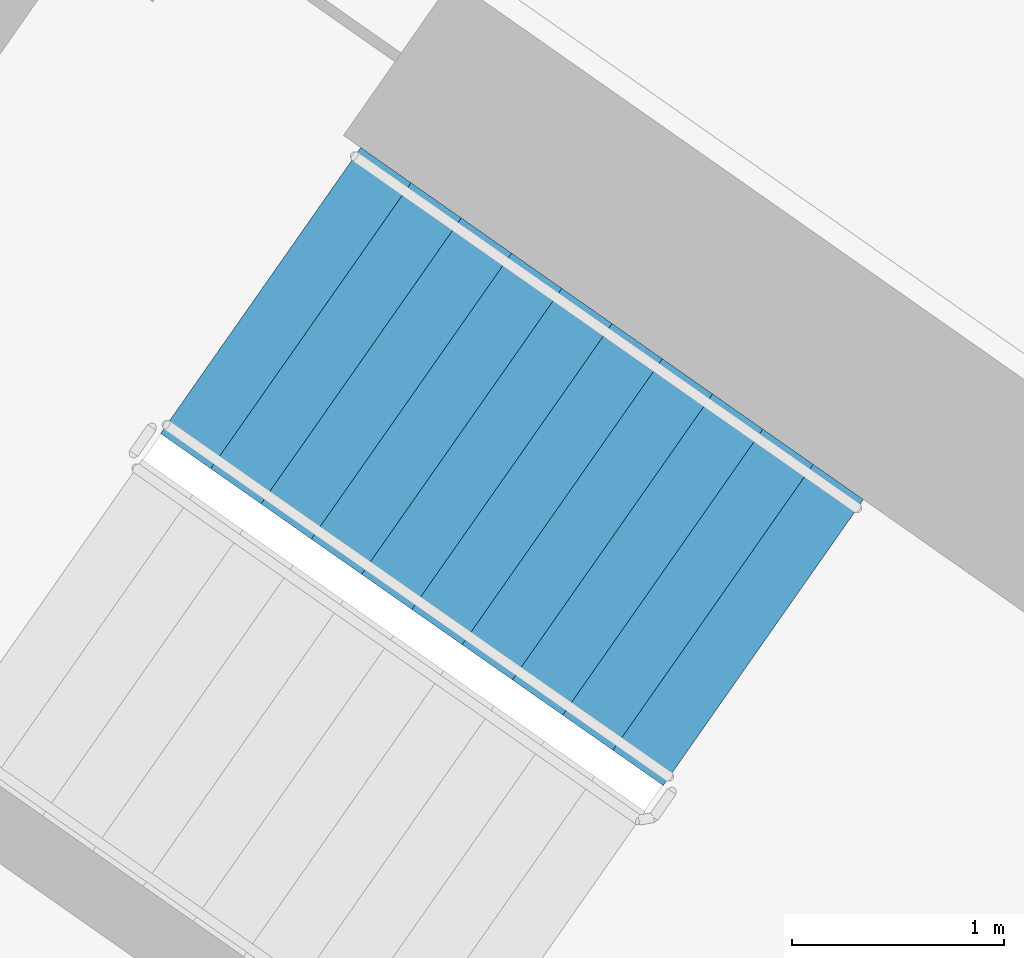
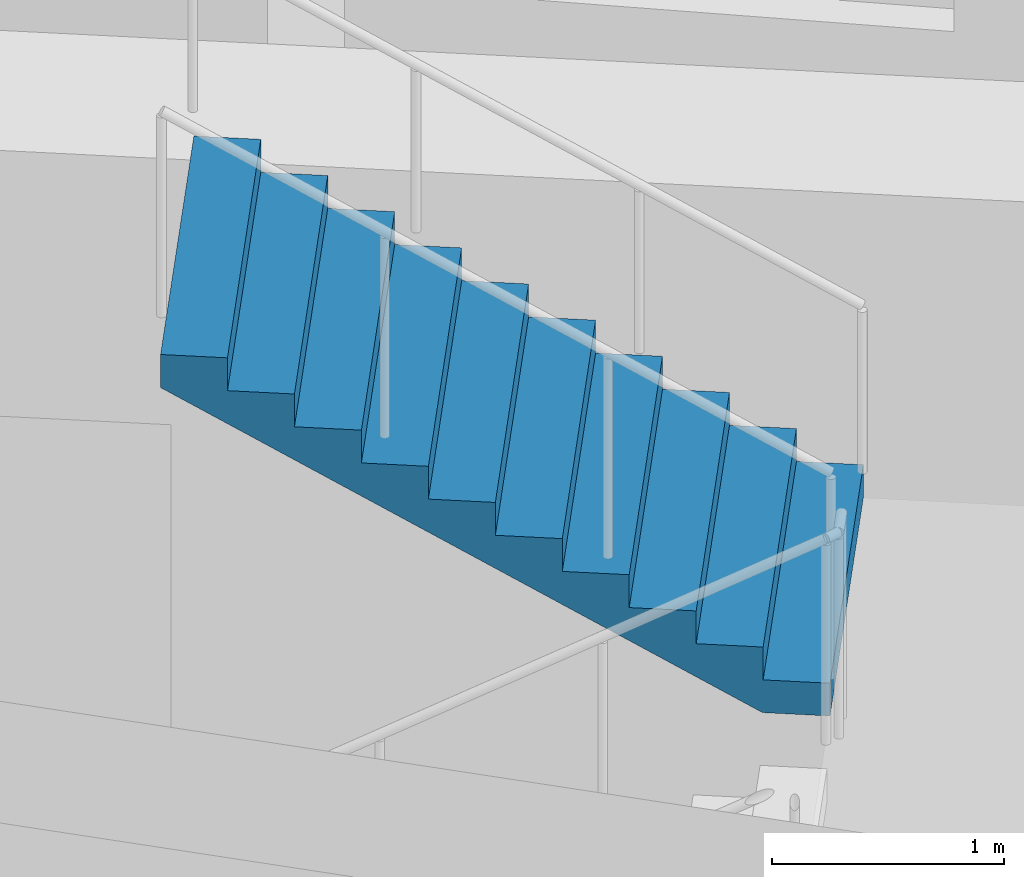
# One storey, part 13 of 31: 1 stair flight, 1 element without a shape of its own.
"""IFC4 building model written with IfcOpenShell, lengths in metres."""

import ifcopenshell
import ifcopenshell.guid

model = None  # the IFC model being written
_history = None  # IfcOwnerHistory: only IFC2X3 demands one
_inside = {}  # id of a spatial element -> (the spatial element, [elements in it])
_under = {}  # id of a project, library or spatial element -> (it, [spatial elements below it])
_declared = {}  # id of a project -> (the project, [libraries it declares])
_typed = {}  # id of a type object -> (the type object, [elements of that type])
_made_of = {}  # id of a material, layer set ... -> (it, [elements and type objects made of it])


def new_model(schema):
    """Start an empty IFC model of exactly this schema.

    Asked for "IFC4X3", IfcOpenShell would pick the latest addendum, in which some entities
    have other attributes; the version numbers below select the first issue.
    IFC2X3 requires an IfcOwnerHistory on every rooted entity: one is made here for all.
    """
    global model, _history
    if schema == "IFC4X3":
        model = ifcopenshell.file(schema_version=(4, 3, 0, 0))
    else:
        model = ifcopenshell.file(schema=schema)
    _inside.clear()
    _under.clear()
    _declared.clear()
    _typed.clear()
    _made_of.clear()
    _history = None
    if model.schema == "IFC2X3":
        org = make("IfcOrganization", Name="unknown")
        user = make(
            "IfcPersonAndOrganization",
            ThePerson=make("IfcPerson", FamilyName="unknown"),
            TheOrganization=org,
        )
        app = make(
            "IfcApplication",
            ApplicationDeveloper=org,
            Version="unknown",
            ApplicationFullName="unknown",
            ApplicationIdentifier="unknown",
        )
        _history = make(
            "IfcOwnerHistory",
            OwningUser=user,
            OwningApplication=app,
            ChangeAction="ADDED",
            CreationDate=0,
        )
    return model


def make(cls, **values):
    """One entity of the class cls with the attributes given. An attribute that is None is left unset."""
    return model.create_entity(
        cls, **{name: value for name, value in values.items() if value is not None}
    )


def rooted(cls, **values):
    """An entity with a GlobalId (a new one), such as an element, a storey or a relation."""
    return make(cls, GlobalId=ifcopenshell.guid.new(), OwnerHistory=_history, **values)


def si_unit(unit_type, name, prefix=None):
    """IfcSIUnit, for example si_unit("LENGTHUNIT", "METRE", prefix="MILLI")."""
    return make("IfcSIUnit", UnitType=unit_type, Prefix=prefix, Name=name)


def assignment(units):
    """IfcUnitAssignment: the units of a project."""
    return None if units is None else make("IfcUnitAssignment", Units=units)


def point(xyz):
    """IfcCartesianPoint."""
    return None if xyz is None else make("IfcCartesianPoint", Coordinates=xyz)


def direction(xyz):
    """IfcDirection."""
    return None if xyz is None else make("IfcDirection", DirectionRatios=xyz)


def frame(location, z_axis=None, x_axis=None):
    """IfcAxis2Placement3D, a coordinate frame: its origin and axes. An axis left out is left unset."""
    return make(
        "IfcAxis2Placement3D",
        Location=point(location),
        Axis=direction(z_axis),
        RefDirection=direction(x_axis),
    )


def origin():
    """The frame at (0, 0, 0) with its axes left unset."""
    return frame((0.0, 0.0, 0.0))


def place(relative_to, where):
    """IfcLocalPlacement: puts the frame where relative to a parent placement (None: the world)."""
    return make(
        "IfcLocalPlacement", PlacementRelTo=relative_to, RelativePlacement=where
    )


def context(
    kind, dimensions, precision=None, world=None, true_north=None, identifier=None
):
    """IfcGeometricRepresentationContext, for example the 3D "Model" context."""
    return make(
        "IfcGeometricRepresentationContext",
        ContextIdentifier=identifier,
        ContextType=kind,
        CoordinateSpaceDimension=dimensions,
        Precision=precision,
        WorldCoordinateSystem=world,
        TrueNorth=true_north,
    )


def subcontext(parent, identifier, kind, view, scale=None):
    """IfcGeometricRepresentationSubContext, for example "Body" below "Model"."""
    return make(
        "IfcGeometricRepresentationSubContext",
        ContextIdentifier=identifier,
        ContextType=kind,
        ParentContext=parent,
        TargetScale=scale,
        TargetView=view,
    )


def project(units=None, contexts=None):
    """IfcProject with its units and contexts."""
    return rooted(
        "IfcProject",
        Name="project",
        RepresentationContexts=contexts,
        UnitsInContext=assignment(units),
    )


def spatial(cls, under=None, at=None, **own):
    """A site, building, storey or space (cls), placed at a placement, below another one or the project."""
    s = rooted(cls, ObjectPlacement=at, **own)
    if under is not None:
        _under.setdefault(under.id(), (under, []))[1].append(s)
    return s


def faces_of(points, faces, orient=None, outer=None):
    """IfcFace entities. A face is a list of loops; a loop is a list of indices into points, from 0.

    orient and outer hold one flag for each loop. By default every Orientation is true, the
    first loop of a face is its IfcFaceOuterBound and the others are IfcFaceBound.
    """
    made = []
    for i, loops in enumerate(faces):
        bounds = []
        for j, loop in enumerate(loops):
            is_outer = j == 0 if outer is None else outer[i][j]
            bounds.append(
                make(
                    "IfcFaceOuterBound" if is_outer else "IfcFaceBound",
                    Bound=make("IfcPolyLoop", Polygon=[points[k] for k in loop]),
                    Orientation=True if orient is None else orient[i][j],
                )
            )
        made.append(make("IfcFace", Bounds=bounds))
    return made


def faceted_brep(points, faces, orient=None, outer=None, voids=None):
    """IfcFacetedBrep: a solid bounded by flat faces; with voids (closed shells), ...WithVoids."""
    shared = [point(p) for p in points]
    hull = make("IfcClosedShell", CfsFaces=faces_of(shared, faces, orient, outer))
    if voids is None:
        return make("IfcFacetedBrep", Outer=hull)
    return make(
        "IfcFacetedBrepWithVoids",
        Outer=hull,
        Voids=[
            make(cls, CfsFaces=faces_of(shared, fs, o, b)) for cls, fs, o, b in voids
        ],
    )


def shape(context_of_items, identifier, shape_type, items):
    """IfcShapeRepresentation: the items that make up one representation, for example the "Body"."""
    return make(
        "IfcShapeRepresentation",
        ContextOfItems=context_of_items,
        RepresentationIdentifier=identifier,
        RepresentationType=shape_type,
        Items=items,
    )


def material(Name=None, Category=None):
    """IfcMaterial."""
    return make("IfcMaterial", Name=Name, Category=Category)


def made_of(thing, what):
    """Note that an element or type object is made of a material, layer set ...; save() writes the relation."""
    if what is not None:
        _made_of.setdefault(what.id(), (what, []))[1].append(thing)
    return thing


def type_object(cls, material=None, **own):
    """A type object (cls), such as IfcWallType, which elements share."""
    return made_of(rooted(cls, **own), material)


def element(
    cls,
    number,
    at=None,
    inside=None,
    cuts=None,
    type_object=None,
    material=None,
    context=None,
    identifier="Body",
    shape_type=None,
    held_by="IfcProductDefinitionShape",
    body=None,
    shapes=None,
    **own,
):
    """One element of the class cls, such as IfcWall. Its Tag is "e" and its number.

    at: its placement. inside: the storey or other place that contains it. cuts: it is an
    opening in that element (IfcRelVoidsElement). A single representation is given by context,
    identifier, shape_type and body (its items); several are given by shapes. held_by: the class
    of the entity that holds the representations. save() writes the other relations.
    """
    e = rooted(cls, Tag="e%d" % number, ObjectPlacement=at, **own)
    if body is not None:
        shapes = [shape(context, identifier, shape_type, body)]
    if shapes is not None:
        e.Representation = make(held_by, Representations=shapes)
    if inside is not None:
        _inside.setdefault(inside.id(), (inside, []))[1].append(e)
    if cuts is not None:
        rooted(
            "IfcRelVoidsElement", RelatingBuildingElement=cuts, RelatedOpeningElement=e
        )
    if type_object is not None:
        _typed.setdefault(type_object.id(), (type_object, []))[1].append(e)
    return made_of(e, material)


def aggregate(whole, parts):
    """IfcRelAggregates: a whole, such as a stair, and the parts it consists of."""
    return rooted("IfcRelAggregates", RelatingObject=whole, RelatedObjects=parts)


def save(model, path):
    """Write the relations noted so far, then the file.

    IfcRelAggregates (storeys below a building ...), IfcRelContainedInSpatialStructure (elements
    in a storey), IfcRelDefinesByType, IfcRelAssociatesMaterial and IfcRelDeclares: one each for
    every whole, place, type object, material and project.
    """
    for whole, parts in _under.values():
        aggregate(whole, parts)
    for where, things in _inside.values():
        rooted(
            "IfcRelContainedInSpatialStructure",
            RelatedElements=things,
            RelatingStructure=where,
        )
    for kind, things in _typed.values():
        rooted("IfcRelDefinesByType", RelatedObjects=things, RelatingType=kind)
    for what, things in _made_of.values():
        rooted("IfcRelAssociatesMaterial", RelatedObjects=things, RelatingMaterial=what)
    for by, libraries in _declared.values():
        rooted("IfcRelDeclares", RelatingContext=by, RelatedDefinitions=libraries)
    model.write(path)


model = new_model("IFC4")

# Units and contexts
model_context = context("Model", 3, precision=1e-05, world=origin(), true_north=direction((0.0, 1.0)))
body_context = subcontext(model_context, "Body", "Model", "MODEL_VIEW")
ifc_project = project(units=[si_unit("LENGTHUNIT", "METRE"), si_unit("AREAUNIT", "SQUARE_METRE"), si_unit("VOLUMEUNIT", "CUBIC_METRE"), si_unit("PLANEANGLEUNIT", "RADIAN"), si_unit("MASSUNIT", "GRAM", prefix="KILO")], contexts=[model_context])

# Site, building, storey
site_placement = place(None, origin())
site = spatial("IfcSite", under=ifc_project, at=site_placement, CompositionType="ELEMENT")
building_placement = place(site_placement, origin())
building = spatial("IfcBuilding", under=site, at=building_placement, Name="Qamariyya Broadcast Tower", CompositionType="ELEMENT")
storey_placement = place(building_placement, frame((0.0, 0.0, 55.699951171875)))
storey = spatial("IfcBuildingStorey", under=building, at=storey_placement, Name="L10", CompositionType="ELEMENT", Elevation=55.699951171875)

# Stair, stair flight
ifc_material = material(Name="Concrete C50/60", Category="concrete")
stair_type = type_object("IfcStairType", Name="Exit stair 22 risers of 173 mm", PredefinedType="HALF_TURN_STAIR", material=ifc_material)
stair_placement = place(storey_placement, origin())
stair = element("IfcStair", 1, at=stair_placement, inside=storey, type_object=stair_type, Name="L10 Stair W2", PredefinedType="HALF_TURN_STAIR")
stair_flight_type = type_object("IfcStairFlightType", Name="Exit stair flight 11 risers of 173 mm", PredefinedType="STRAIGHT", material=ifc_material)
stair_flight_placement = place(storey_placement, frame((-38.18310546875, -49.3486328125, 1.900146484375), z_axis=(0.0, 0.0, 1.0), x_axis=(-0.819152044289, 0.573576436351, 0.0)))
stair_flight = element("IfcStairFlight", 2, at=stair_flight_placement, type_object=stair_flight_type, Name="ST-W2 flight 2", NumberOfRisers=11, NumberOfTreads=10, PredefinedType="STRAIGHT", RiserHeight=0.172727273, TreadLength=0.29, context=body_context, shape_type="Brep", body=[
    faceted_brep([(0.0, 0.824951171875, 0.0), (0.0, 0.824951171875, 0.172607421875), (0.2900390625, 0.824951171875, 0.172607421875), (0.2900390625, 0.824951171875, 0.345458984375), (0.580078125, 0.824951171875, 0.345458984375), (0.580078125, 0.824951171875, 0.51806640625), (0.8701171875, 0.824951171875, 0.51806640625), (0.8701171875, 0.824951171875, 0.69091796875), (1.159912109375, 0.824951171875, 0.69091796875), (1.159912109375, 0.824951171875, 0.863525390625), (1.449951171875, 0.824951171875, 0.863525390625), (1.449951171875, 0.824951171875, 1.036376953125), (1.739990234375, 0.824951171875, 1.036376953125), (1.739990234375, 0.824951171875, 1.208984375), (2.030029296875, 0.824951171875, 1.208984375), (2.030029296875, 0.824951171875, 1.3818359375), (2.320068359375, 0.824951171875, 1.3818359375), (2.320068359375, 0.824951171875, 1.554443359375), (2.610107421875, 0.824951171875, 1.554443359375), (2.610107421875, 0.824951171875, 1.727294921875), (2.89990234375, 0.824951171875, 1.727294921875), (2.89990234375, 0.824951171875, 1.552734375), (0.29296875, 0.824951171875, 0.0), (0.29296875, -0.824951171875, 0.0), (2.89990234375, -0.824951171875, 1.552734375), (2.89990234375, -0.824951171875, 1.727294921875), (2.610107421875, -0.824951171875, 1.727294921875), (2.610107421875, -0.824951171875, 1.554443359375), (2.320068359375, -0.824951171875, 1.554443359375), (2.320068359375, -0.824951171875, 1.3818359375), (2.030029296875, -0.824951171875, 1.3818359375), (2.030029296875, -0.824951171875, 1.208984375), (1.739990234375, -0.824951171875, 1.208984375), (1.739990234375, -0.824951171875, 1.036376953125), (1.449951171875, -0.824951171875, 1.036376953125), (1.449951171875, -0.824951171875, 0.863525390625), (1.159912109375, -0.824951171875, 0.863525390625), (1.159912109375, -0.824951171875, 0.69091796875), (0.8701171875, -0.824951171875, 0.69091796875), (0.8701171875, -0.824951171875, 0.51806640625), (0.580078125, -0.824951171875, 0.51806640625), (0.580078125, -0.824951171875, 0.345458984375), (0.2900390625, -0.824951171875, 0.345458984375), (0.2900390625, -0.824951171875, 0.172607421875), (0.0, -0.824951171875, 0.172607421875), (0.0, -0.824951171875, 0.0), (0.0, 0.10009765625, 0.0), (0.0, 0.086669921875, 0.0), (0.0, 0.0732421875, 0.0), (0.0, 0.06005859375, 0.0), (0.0, 0.046630859375, 0.0), (0.0, 0.033447265625, 0.0), (0.0, 0.02001953125, 0.0), (0.0, 0.006591796875, 0.0), (0.0, -0.006591796875, 0.0), (0.0, -0.02001953125, 0.0), (0.0, -0.033447265625, 0.0), (0.0, -0.046630859375, 0.0), (0.0, -0.06005859375, 0.0), (0.0, -0.0732421875, 0.0), (0.0, -0.086669921875, 0.0), (0.0, -0.10009765625, 0.0), (0.0, -0.10009765625, 0.172607421875), (0.0, -0.086669921875, 0.172607421875), (0.0, -0.0732421875, 0.172607421875), (0.0, -0.06005859375, 0.172607421875), (0.0, -0.046630859375, 0.172607421875), (0.0, -0.033447265625, 0.172607421875), (0.0, -0.02001953125, 0.172607421875), (0.0, -0.006591796875, 0.172607421875), (0.0, 0.006591796875, 0.172607421875), (0.0, 0.02001953125, 0.172607421875), (0.0, 0.033447265625, 0.172607421875), (0.0, 0.046630859375, 0.172607421875), (0.0, 0.06005859375, 0.172607421875), (0.0, 0.0732421875, 0.172607421875), (0.0, 0.086669921875, 0.172607421875), (0.0, 0.10009765625, 0.172607421875), (0.2900390625, -0.10009765625, 0.172607421875), (0.2900390625, -0.086669921875, 0.172607421875), (0.2900390625, -0.0732421875, 0.172607421875), (0.2900390625, -0.06005859375, 0.172607421875), (0.2900390625, -0.046630859375, 0.172607421875), (0.2900390625, -0.033447265625, 0.172607421875), (0.2900390625, -0.02001953125, 0.172607421875), (0.2900390625, -0.006591796875, 0.172607421875), (0.2900390625, 0.006591796875, 0.172607421875), (0.2900390625, 0.02001953125, 0.172607421875), (0.2900390625, 0.033447265625, 0.172607421875), (0.2900390625, 0.046630859375, 0.172607421875), (0.2900390625, 0.06005859375, 0.172607421875), (0.2900390625, 0.0732421875, 0.172607421875), (0.2900390625, 0.086669921875, 0.172607421875), (0.2900390625, 0.10009765625, 0.172607421875), (0.2900390625, -0.10009765625, 0.345458984375), (0.2900390625, -0.086669921875, 0.345458984375), (0.2900390625, -0.0732421875, 0.345458984375), (0.2900390625, -0.06005859375, 0.345458984375), (0.2900390625, -0.046630859375, 0.345458984375), (0.2900390625, -0.033447265625, 0.345458984375), (0.2900390625, -0.02001953125, 0.345458984375), (0.2900390625, -0.006591796875, 0.345458984375), (0.2900390625, 0.006591796875, 0.345458984375), (0.2900390625, 0.02001953125, 0.345458984375), (0.2900390625, 0.033447265625, 0.345458984375), (0.2900390625, 0.046630859375, 0.345458984375), (0.2900390625, 0.06005859375, 0.345458984375), (0.2900390625, 0.0732421875, 0.345458984375), (0.2900390625, 0.086669921875, 0.345458984375), (0.2900390625, 0.10009765625, 0.345458984375), (0.580078125, -0.10009765625, 0.345458984375), (0.580078125, -0.086669921875, 0.345458984375), (0.580078125, -0.0732421875, 0.345458984375), (0.580078125, -0.06005859375, 0.345458984375), (0.580078125, -0.046630859375, 0.345458984375), (0.580078125, -0.033447265625, 0.345458984375), (0.580078125, -0.02001953125, 0.345458984375), (0.580078125, -0.006591796875, 0.345458984375), (0.580078125, 0.006591796875, 0.345458984375), (0.580078125, 0.02001953125, 0.345458984375), (0.580078125, 0.033447265625, 0.345458984375), (0.580078125, 0.046630859375, 0.345458984375), (0.580078125, 0.06005859375, 0.345458984375), (0.580078125, 0.0732421875, 0.345458984375), (0.580078125, 0.086669921875, 0.345458984375), (0.580078125, 0.10009765625, 0.345458984375), (0.580078125, -0.10009765625, 0.51806640625), (0.580078125, -0.086669921875, 0.51806640625), (0.580078125, -0.0732421875, 0.51806640625), (0.580078125, -0.06005859375, 0.51806640625), (0.580078125, -0.046630859375, 0.51806640625), (0.580078125, -0.033447265625, 0.51806640625), (0.580078125, -0.02001953125, 0.51806640625), (0.580078125, -0.006591796875, 0.51806640625), (0.580078125, 0.006591796875, 0.51806640625), (0.580078125, 0.02001953125, 0.51806640625), (0.580078125, 0.033447265625, 0.51806640625), (0.580078125, 0.046630859375, 0.51806640625), (0.580078125, 0.06005859375, 0.51806640625), (0.580078125, 0.0732421875, 0.51806640625), (0.580078125, 0.086669921875, 0.51806640625), (0.580078125, 0.10009765625, 0.51806640625), (0.8701171875, -0.10009765625, 0.51806640625), (0.8701171875, -0.086669921875, 0.51806640625), (0.8701171875, -0.0732421875, 0.51806640625), (0.8701171875, -0.06005859375, 0.51806640625), (0.8701171875, -0.046630859375, 0.51806640625), (0.8701171875, -0.033447265625, 0.51806640625), (0.8701171875, -0.02001953125, 0.51806640625), (0.8701171875, -0.006591796875, 0.51806640625), (0.8701171875, 0.006591796875, 0.51806640625), (0.8701171875, 0.02001953125, 0.51806640625), (0.8701171875, 0.033447265625, 0.51806640625), (0.8701171875, 0.046630859375, 0.51806640625), (0.8701171875, 0.06005859375, 0.51806640625), (0.8701171875, 0.0732421875, 0.51806640625), (0.8701171875, 0.086669921875, 0.51806640625), (0.8701171875, 0.10009765625, 0.51806640625), (0.8701171875, -0.10009765625, 0.69091796875), (0.8701171875, -0.086669921875, 0.69091796875), (0.8701171875, -0.0732421875, 0.69091796875), (0.8701171875, -0.06005859375, 0.69091796875), (0.8701171875, -0.046630859375, 0.69091796875), (0.8701171875, -0.033447265625, 0.69091796875), (0.8701171875, -0.02001953125, 0.69091796875), (0.8701171875, -0.006591796875, 0.69091796875), (0.8701171875, 0.006591796875, 0.69091796875), (0.8701171875, 0.02001953125, 0.69091796875), (0.8701171875, 0.033447265625, 0.69091796875), (0.8701171875, 0.046630859375, 0.69091796875), (0.8701171875, 0.06005859375, 0.69091796875), (0.8701171875, 0.0732421875, 0.69091796875), (0.8701171875, 0.086669921875, 0.69091796875), (0.8701171875, 0.10009765625, 0.69091796875), (1.159912109375, -0.10009765625, 0.69091796875), (1.159912109375, -0.086669921875, 0.69091796875), (1.159912109375, -0.0732421875, 0.69091796875), (1.159912109375, -0.06005859375, 0.69091796875), (1.159912109375, -0.046630859375, 0.69091796875), (1.159912109375, -0.033447265625, 0.69091796875), (1.159912109375, -0.02001953125, 0.69091796875), (1.159912109375, -0.006591796875, 0.69091796875), (1.159912109375, 0.006591796875, 0.69091796875), (1.159912109375, 0.02001953125, 0.69091796875), (1.159912109375, 0.033447265625, 0.69091796875), (1.159912109375, 0.046630859375, 0.69091796875), (1.159912109375, 0.06005859375, 0.69091796875), (1.159912109375, 0.0732421875, 0.69091796875), (1.159912109375, 0.086669921875, 0.69091796875), (1.159912109375, 0.10009765625, 0.69091796875), (1.159912109375, -0.10009765625, 0.863525390625), (1.159912109375, -0.086669921875, 0.863525390625), (1.159912109375, -0.0732421875, 0.863525390625), (1.159912109375, -0.06005859375, 0.863525390625), (1.159912109375, -0.046630859375, 0.863525390625), (1.159912109375, -0.033447265625, 0.863525390625), (1.159912109375, -0.02001953125, 0.863525390625), (1.159912109375, -0.006591796875, 0.863525390625), (1.159912109375, 0.006591796875, 0.863525390625), (1.159912109375, 0.02001953125, 0.863525390625), (1.159912109375, 0.033447265625, 0.863525390625), (1.159912109375, 0.046630859375, 0.863525390625), (1.159912109375, 0.06005859375, 0.863525390625), (1.159912109375, 0.0732421875, 0.863525390625), (1.159912109375, 0.086669921875, 0.863525390625), (1.159912109375, 0.10009765625, 0.863525390625), (1.449951171875, -0.10009765625, 0.863525390625), (1.449951171875, -0.086669921875, 0.863525390625), (1.449951171875, -0.0732421875, 0.863525390625), (1.449951171875, -0.06005859375, 0.863525390625), (1.449951171875, -0.046630859375, 0.863525390625), (1.449951171875, -0.033447265625, 0.863525390625), (1.449951171875, -0.02001953125, 0.863525390625), (1.449951171875, -0.006591796875, 0.863525390625), (1.449951171875, 0.006591796875, 0.863525390625), (1.449951171875, 0.02001953125, 0.863525390625), (1.449951171875, 0.033447265625, 0.863525390625), (1.449951171875, 0.046630859375, 0.863525390625), (1.449951171875, 0.06005859375, 0.863525390625), (1.449951171875, 0.0732421875, 0.863525390625), (1.449951171875, 0.086669921875, 0.863525390625), (1.449951171875, 0.10009765625, 0.863525390625), (1.449951171875, -0.10009765625, 1.036376953125), (1.449951171875, -0.086669921875, 1.036376953125), (1.449951171875, -0.0732421875, 1.036376953125), (1.449951171875, -0.06005859375, 1.036376953125), (1.449951171875, -0.046630859375, 1.036376953125), (1.449951171875, -0.033447265625, 1.036376953125), (1.449951171875, -0.02001953125, 1.036376953125), (1.449951171875, -0.006591796875, 1.036376953125), (1.449951171875, 0.006591796875, 1.036376953125), (1.449951171875, 0.02001953125, 1.036376953125), (1.449951171875, 0.033447265625, 1.036376953125), (1.449951171875, 0.046630859375, 1.036376953125), (1.449951171875, 0.06005859375, 1.036376953125), (1.449951171875, 0.0732421875, 1.036376953125), (1.449951171875, 0.086669921875, 1.036376953125), (1.449951171875, 0.10009765625, 1.036376953125), (1.739990234375, -0.10009765625, 1.036376953125), (1.739990234375, -0.086669921875, 1.036376953125), (1.739990234375, -0.0732421875, 1.036376953125), (1.739990234375, -0.06005859375, 1.036376953125), (1.739990234375, -0.046630859375, 1.036376953125), (1.739990234375, -0.033447265625, 1.036376953125), (1.739990234375, -0.02001953125, 1.036376953125), (1.739990234375, -0.006591796875, 1.036376953125), (1.739990234375, 0.006591796875, 1.036376953125), (1.739990234375, 0.02001953125, 1.036376953125), (1.739990234375, 0.033447265625, 1.036376953125), (1.739990234375, 0.046630859375, 1.036376953125), (1.739990234375, 0.06005859375, 1.036376953125), (1.739990234375, 0.0732421875, 1.036376953125), (1.739990234375, 0.086669921875, 1.036376953125), (1.739990234375, 0.10009765625, 1.036376953125), (1.739990234375, -0.10009765625, 1.208984375), (1.739990234375, -0.086669921875, 1.208984375), (1.739990234375, -0.0732421875, 1.208984375), (1.739990234375, -0.06005859375, 1.208984375), (1.739990234375, -0.046630859375, 1.208984375), (1.739990234375, -0.033447265625, 1.208984375), (1.739990234375, -0.02001953125, 1.208984375), (1.739990234375, -0.006591796875, 1.208984375), (1.739990234375, 0.006591796875, 1.208984375), (1.739990234375, 0.02001953125, 1.208984375), (1.739990234375, 0.033447265625, 1.208984375), (1.739990234375, 0.046630859375, 1.208984375), (1.739990234375, 0.06005859375, 1.208984375), (1.739990234375, 0.0732421875, 1.208984375), (1.739990234375, 0.086669921875, 1.208984375), (1.739990234375, 0.10009765625, 1.208984375), (2.030029296875, -0.10009765625, 1.208984375), (2.030029296875, -0.086669921875, 1.208984375), (2.030029296875, -0.0732421875, 1.208984375), (2.030029296875, -0.06005859375, 1.208984375), (2.030029296875, -0.046630859375, 1.208984375), (2.030029296875, -0.033447265625, 1.208984375), (2.030029296875, -0.02001953125, 1.208984375), (2.030029296875, -0.006591796875, 1.208984375), (2.030029296875, 0.006591796875, 1.208984375), (2.030029296875, 0.02001953125, 1.208984375), (2.030029296875, 0.033447265625, 1.208984375), (2.030029296875, 0.046630859375, 1.208984375), (2.030029296875, 0.06005859375, 1.208984375), (2.030029296875, 0.0732421875, 1.208984375), (2.030029296875, 0.086669921875, 1.208984375), (2.030029296875, 0.10009765625, 1.208984375), (2.030029296875, -0.10009765625, 1.3818359375), (2.030029296875, -0.086669921875, 1.3818359375), (2.030029296875, -0.0732421875, 1.3818359375), (2.030029296875, -0.06005859375, 1.3818359375), (2.030029296875, -0.046630859375, 1.3818359375), (2.030029296875, -0.033447265625, 1.3818359375), (2.030029296875, -0.02001953125, 1.3818359375), (2.030029296875, -0.006591796875, 1.3818359375), (2.030029296875, 0.006591796875, 1.3818359375), (2.030029296875, 0.02001953125, 1.3818359375), (2.030029296875, 0.033447265625, 1.3818359375), (2.030029296875, 0.046630859375, 1.3818359375), (2.030029296875, 0.06005859375, 1.3818359375), (2.030029296875, 0.0732421875, 1.3818359375), (2.030029296875, 0.086669921875, 1.3818359375), (2.030029296875, 0.10009765625, 1.3818359375), (2.320068359375, -0.10009765625, 1.3818359375), (2.320068359375, -0.086669921875, 1.3818359375), (2.320068359375, -0.0732421875, 1.3818359375), (2.320068359375, -0.06005859375, 1.3818359375), (2.320068359375, -0.046630859375, 1.3818359375), (2.320068359375, -0.033447265625, 1.3818359375), (2.320068359375, -0.02001953125, 1.3818359375), (2.320068359375, -0.006591796875, 1.3818359375), (2.320068359375, 0.006591796875, 1.3818359375), (2.320068359375, 0.02001953125, 1.3818359375), (2.320068359375, 0.033447265625, 1.3818359375), (2.320068359375, 0.046630859375, 1.3818359375), (2.320068359375, 0.06005859375, 1.3818359375), (2.320068359375, 0.0732421875, 1.3818359375), (2.320068359375, 0.086669921875, 1.3818359375), (2.320068359375, 0.10009765625, 1.3818359375), (2.320068359375, -0.10009765625, 1.554443359375), (2.320068359375, -0.086669921875, 1.554443359375), (2.320068359375, -0.0732421875, 1.554443359375), (2.320068359375, -0.06005859375, 1.554443359375), (2.320068359375, -0.046630859375, 1.554443359375), (2.320068359375, -0.033447265625, 1.554443359375), (2.320068359375, -0.02001953125, 1.554443359375), (2.320068359375, -0.006591796875, 1.554443359375), (2.320068359375, 0.006591796875, 1.554443359375), (2.320068359375, 0.02001953125, 1.554443359375), (2.320068359375, 0.033447265625, 1.554443359375), (2.320068359375, 0.046630859375, 1.554443359375), (2.320068359375, 0.06005859375, 1.554443359375), (2.320068359375, 0.0732421875, 1.554443359375), (2.320068359375, 0.086669921875, 1.554443359375), (2.320068359375, 0.10009765625, 1.554443359375), (2.610107421875, -0.10009765625, 1.554443359375), (2.610107421875, -0.086669921875, 1.554443359375), (2.610107421875, -0.0732421875, 1.554443359375), (2.610107421875, -0.06005859375, 1.554443359375), (2.610107421875, -0.046630859375, 1.554443359375), (2.610107421875, -0.033447265625, 1.554443359375), (2.610107421875, -0.02001953125, 1.554443359375), (2.610107421875, -0.006591796875, 1.554443359375), (2.610107421875, 0.006591796875, 1.554443359375), (2.610107421875, 0.02001953125, 1.554443359375), (2.610107421875, 0.033447265625, 1.554443359375), (2.610107421875, 0.046630859375, 1.554443359375), (2.610107421875, 0.06005859375, 1.554443359375), (2.610107421875, 0.0732421875, 1.554443359375), (2.610107421875, 0.086669921875, 1.554443359375), (2.610107421875, 0.10009765625, 1.554443359375), (2.610107421875, -0.10009765625, 1.727294921875), (2.610107421875, -0.086669921875, 1.727294921875), (2.610107421875, -0.0732421875, 1.727294921875), (2.610107421875, -0.06005859375, 1.727294921875), (2.610107421875, -0.046630859375, 1.727294921875), (2.610107421875, -0.033447265625, 1.727294921875), (2.610107421875, -0.02001953125, 1.727294921875), (2.610107421875, -0.006591796875, 1.727294921875), (2.610107421875, 0.006591796875, 1.727294921875), (2.610107421875, 0.02001953125, 1.727294921875), (2.610107421875, 0.033447265625, 1.727294921875), (2.610107421875, 0.046630859375, 1.727294921875), (2.610107421875, 0.06005859375, 1.727294921875), (2.610107421875, 0.0732421875, 1.727294921875), (2.610107421875, 0.086669921875, 1.727294921875), (2.610107421875, 0.10009765625, 1.727294921875), (2.89990234375, -0.10009765625, 1.727294921875), (2.89990234375, -0.086669921875, 1.727294921875), (2.89990234375, -0.0732421875, 1.727294921875), (2.89990234375, -0.06005859375, 1.727294921875), (2.89990234375, -0.046630859375, 1.727294921875), (2.89990234375, -0.033447265625, 1.727294921875), (2.89990234375, -0.02001953125, 1.727294921875), (2.89990234375, -0.006591796875, 1.727294921875), (2.89990234375, 0.006591796875, 1.727294921875), (2.89990234375, 0.02001953125, 1.727294921875), (2.89990234375, 0.033447265625, 1.727294921875), (2.89990234375, 0.046630859375, 1.727294921875), (2.89990234375, 0.06005859375, 1.727294921875), (2.89990234375, 0.0732421875, 1.727294921875), (2.89990234375, 0.086669921875, 1.727294921875), (2.89990234375, 0.10009765625, 1.727294921875), (2.89990234375, -0.10009765625, 1.552734375), (2.89990234375, -0.086669921875, 1.552734375), (2.89990234375, -0.0732421875, 1.552734375), (2.89990234375, -0.06005859375, 1.552734375), (2.89990234375, -0.046630859375, 1.552734375), (2.89990234375, -0.033447265625, 1.552734375), (2.89990234375, -0.02001953125, 1.552734375), (2.89990234375, -0.006591796875, 1.552734375), (2.89990234375, 0.006591796875, 1.552734375), (2.89990234375, 0.02001953125, 1.552734375), (2.89990234375, 0.033447265625, 1.552734375), (2.89990234375, 0.046630859375, 1.552734375), (2.89990234375, 0.06005859375, 1.552734375), (2.89990234375, 0.0732421875, 1.552734375), (2.89990234375, 0.086669921875, 1.552734375), (2.89990234375, 0.10009765625, 1.552734375), (0.29296875, -0.10009765625, 0.0), (0.29296875, -0.086669921875, 0.0), (0.29296875, -0.0732421875, 0.0), (0.29296875, -0.06005859375, 0.0), (0.29296875, -0.046630859375, 0.0), (0.29296875, -0.033447265625, 0.0), (0.29296875, -0.02001953125, 0.0), (0.29296875, -0.006591796875, 0.0), (0.29296875, 0.006591796875, 0.0), (0.29296875, 0.02001953125, 0.0), (0.29296875, 0.033447265625, 0.0), (0.29296875, 0.046630859375, 0.0), (0.29296875, 0.06005859375, 0.0), (0.29296875, 0.0732421875, 0.0), (0.29296875, 0.086669921875, 0.0), (0.29296875, 0.10009765625, 0.0)], [[[0, 1, 2, 3, 4, 5, 6, 7, 8, 9, 10, 11, 12, 13, 14, 15, 16, 17, 18, 19, 20, 21, 22]], [[23, 24, 25, 26, 27, 28, 29, 30, 31, 32, 33, 34, 35, 36, 37, 38, 39, 40, 41, 42, 43, 44, 45]], [[0, 46, 47, 48, 49, 50, 51, 52, 53, 54, 55, 56, 57, 58, 59, 60, 61, 45, 44, 62, 63, 64, 65, 66, 67, 68, 69, 70, 71, 72, 73, 74, 75, 76, 77, 1]], [[1, 77, 76, 75, 74, 73, 72, 71, 70, 69, 68, 67, 66, 65, 64, 63, 62, 44, 43, 78, 79, 80, 81, 82, 83, 84, 85, 86, 87, 88, 89, 90, 91, 92, 93, 2]], [[2, 93, 92, 91, 90, 89, 88, 87, 86, 85, 84, 83, 82, 81, 80, 79, 78, 43, 42, 94, 95, 96, 97, 98, 99, 100, 101, 102, 103, 104, 105, 106, 107, 108, 109, 3]], [[3, 109, 108, 107, 106, 105, 104, 103, 102, 101, 100, 99, 98, 97, 96, 95, 94, 42, 41, 110, 111, 112, 113, 114, 115, 116, 117, 118, 119, 120, 121, 122, 123, 124, 125, 4]], [[4, 125, 124, 123, 122, 121, 120, 119, 118, 117, 116, 115, 114, 113, 112, 111, 110, 41, 40, 126, 127, 128, 129, 130, 131, 132, 133, 134, 135, 136, 137, 138, 139, 140, 141, 5]], [[5, 141, 140, 139, 138, 137, 136, 135, 134, 133, 132, 131, 130, 129, 128, 127, 126, 40, 39, 142, 143, 144, 145, 146, 147, 148, 149, 150, 151, 152, 153, 154, 155, 156, 157, 6]], [[6, 157, 156, 155, 154, 153, 152, 151, 150, 149, 148, 147, 146, 145, 144, 143, 142, 39, 38, 158, 159, 160, 161, 162, 163, 164, 165, 166, 167, 168, 169, 170, 171, 172, 173, 7]], [[7, 173, 172, 171, 170, 169, 168, 167, 166, 165, 164, 163, 162, 161, 160, 159, 158, 38, 37, 174, 175, 176, 177, 178, 179, 180, 181, 182, 183, 184, 185, 186, 187, 188, 189, 8]], [[8, 189, 188, 187, 186, 185, 184, 183, 182, 181, 180, 179, 178, 177, 176, 175, 174, 37, 36, 190, 191, 192, 193, 194, 195, 196, 197, 198, 199, 200, 201, 202, 203, 204, 205, 9]], [[9, 205, 204, 203, 202, 201, 200, 199, 198, 197, 196, 195, 194, 193, 192, 191, 190, 36, 35, 206, 207, 208, 209, 210, 211, 212, 213, 214, 215, 216, 217, 218, 219, 220, 221, 10]], [[10, 221, 220, 219, 218, 217, 216, 215, 214, 213, 212, 211, 210, 209, 208, 207, 206, 35, 34, 222, 223, 224, 225, 226, 227, 228, 229, 230, 231, 232, 233, 234, 235, 236, 237, 11]], [[11, 237, 236, 235, 234, 233, 232, 231, 230, 229, 228, 227, 226, 225, 224, 223, 222, 34, 33, 238, 239, 240, 241, 242, 243, 244, 245, 246, 247, 248, 249, 250, 251, 252, 253, 12]], [[12, 253, 252, 251, 250, 249, 248, 247, 246, 245, 244, 243, 242, 241, 240, 239, 238, 33, 32, 254, 255, 256, 257, 258, 259, 260, 261, 262, 263, 264, 265, 266, 267, 268, 269, 13]], [[13, 269, 268, 267, 266, 265, 264, 263, 262, 261, 260, 259, 258, 257, 256, 255, 254, 32, 31, 270, 271, 272, 273, 274, 275, 276, 277, 278, 279, 280, 281, 282, 283, 284, 285, 14]], [[14, 285, 284, 283, 282, 281, 280, 279, 278, 277, 276, 275, 274, 273, 272, 271, 270, 31, 30, 286, 287, 288, 289, 290, 291, 292, 293, 294, 295, 296, 297, 298, 299, 300, 301, 15]], [[15, 301, 300, 299, 298, 297, 296, 295, 294, 293, 292, 291, 290, 289, 288, 287, 286, 30, 29, 302, 303, 304, 305, 306, 307, 308, 309, 310, 311, 312, 313, 314, 315, 316, 317, 16]], [[16, 317, 316, 315, 314, 313, 312, 311, 310, 309, 308, 307, 306, 305, 304, 303, 302, 29, 28, 318, 319, 320, 321, 322, 323, 324, 325, 326, 327, 328, 329, 330, 331, 332, 333, 17]], [[17, 333, 332, 331, 330, 329, 328, 327, 326, 325, 324, 323, 322, 321, 320, 319, 318, 28, 27, 334, 335, 336, 337, 338, 339, 340, 341, 342, 343, 344, 345, 346, 347, 348, 349, 18]], [[18, 349, 348, 347, 346, 345, 344, 343, 342, 341, 340, 339, 338, 337, 336, 335, 334, 27, 26, 350, 351, 352, 353, 354, 355, 356, 357, 358, 359, 360, 361, 362, 363, 364, 365, 19]], [[19, 365, 364, 363, 362, 361, 360, 359, 358, 357, 356, 355, 354, 353, 352, 351, 350, 26, 25, 366, 367, 368, 369, 370, 371, 372, 373, 374, 375, 376, 377, 378, 379, 380, 381, 20]], [[20, 381, 380, 379, 378, 377, 376, 375, 374, 373, 372, 371, 370, 369, 368, 367, 366, 25, 24, 382, 383, 384, 385, 386, 387, 388, 389, 390, 391, 392, 393, 394, 395, 396, 397, 21]], [[21, 397, 396, 395, 394, 393, 392, 391, 390, 389, 388, 387, 386, 385, 384, 383, 382, 24, 23, 398, 399, 400, 401, 402, 403, 404, 405, 406, 407, 408, 409, 410, 411, 412, 413, 22]], [[22, 413, 412, 411, 410, 409, 408, 407, 406, 405, 404, 403, 402, 401, 400, 399, 398, 23, 45, 61, 60, 59, 58, 57, 56, 55, 54, 53, 52, 51, 50, 49, 48, 47, 46, 0]]]),
])
aggregate(stair, [stair_flight])

save(model, "model.ifc")
